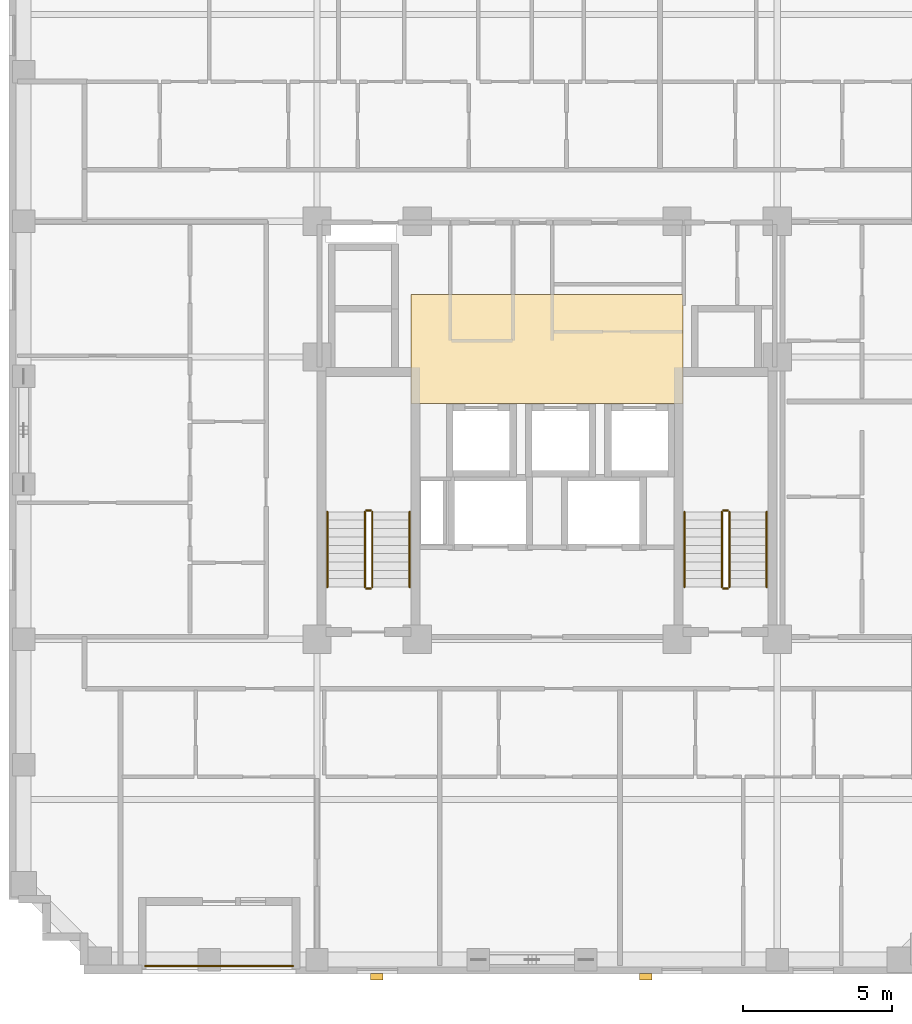
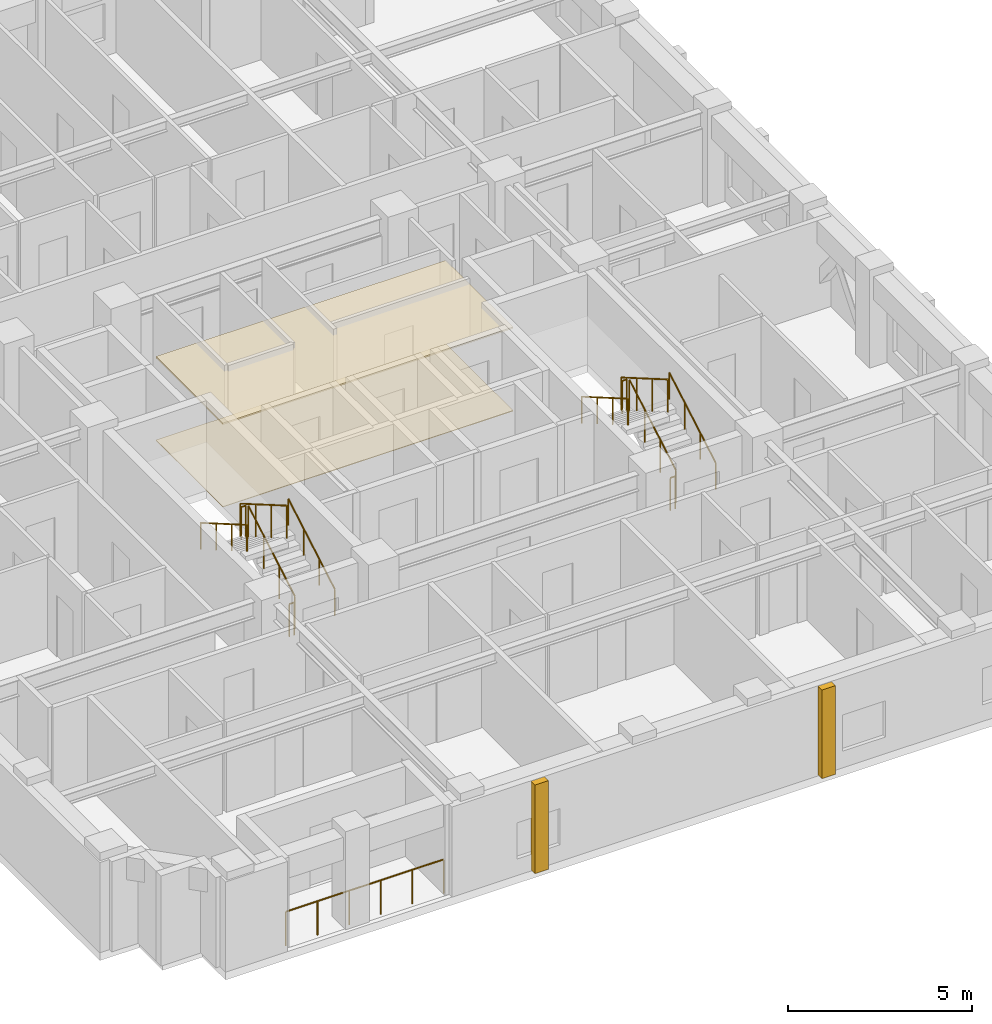
# One storey, part 10 of 11: 13 railings, 4 coverings.
"""IFC4 building model written with IfcOpenShell, lengths in metres."""

import ifcopenshell
import ifcopenshell.guid

model = None  # the IFC model being written
_history = None  # IfcOwnerHistory: only IFC2X3 demands one
_inside = {}  # id of a spatial element -> (the spatial element, [elements in it])
_under = {}  # id of a project, library or spatial element -> (it, [spatial elements below it])
_declared = {}  # id of a project -> (the project, [libraries it declares])
_typed = {}  # id of a type object -> (the type object, [elements of that type])
_made_of = {}  # id of a material, layer set ... -> (it, [elements and type objects made of it])


def new_model(schema):
    """Start an empty IFC model of exactly this schema.

    Asked for "IFC4X3", IfcOpenShell would pick the latest addendum, in which some entities
    have other attributes; the version numbers below select the first issue.
    IFC2X3 requires an IfcOwnerHistory on every rooted entity: one is made here for all.
    """
    global model, _history
    if schema == "IFC4X3":
        model = ifcopenshell.file(schema_version=(4, 3, 0, 0))
    else:
        model = ifcopenshell.file(schema=schema)
    _inside.clear()
    _under.clear()
    _declared.clear()
    _typed.clear()
    _made_of.clear()
    _history = None
    if model.schema == "IFC2X3":
        org = make("IfcOrganization", Name="unknown")
        user = make(
            "IfcPersonAndOrganization",
            ThePerson=make("IfcPerson", FamilyName="unknown"),
            TheOrganization=org,
        )
        app = make(
            "IfcApplication",
            ApplicationDeveloper=org,
            Version="unknown",
            ApplicationFullName="unknown",
            ApplicationIdentifier="unknown",
        )
        _history = make(
            "IfcOwnerHistory",
            OwningUser=user,
            OwningApplication=app,
            ChangeAction="ADDED",
            CreationDate=0,
        )
    return model


def make(cls, **values):
    """One entity of the class cls with the attributes given. An attribute that is None is left unset."""
    return model.create_entity(
        cls, **{name: value for name, value in values.items() if value is not None}
    )


def rooted(cls, **values):
    """An entity with a GlobalId (a new one), such as an element, a storey or a relation."""
    return make(cls, GlobalId=ifcopenshell.guid.new(), OwnerHistory=_history, **values)


def si_unit(unit_type, name, prefix=None):
    """IfcSIUnit, for example si_unit("LENGTHUNIT", "METRE", prefix="MILLI")."""
    return make("IfcSIUnit", UnitType=unit_type, Prefix=prefix, Name=name)


def derived_unit(unit_type, elements):
    """IfcDerivedUnit: a product of units, each with its exponent."""
    return make(
        "IfcDerivedUnit",
        Elements=[
            make("IfcDerivedUnitElement", Unit=unit, Exponent=power)
            for unit, power in elements
        ],
        UnitType=unit_type,
    )


def assignment(units):
    """IfcUnitAssignment: the units of a project."""
    return None if units is None else make("IfcUnitAssignment", Units=units)


def point(xyz):
    """IfcCartesianPoint."""
    return None if xyz is None else make("IfcCartesianPoint", Coordinates=xyz)


def direction(xyz):
    """IfcDirection."""
    return None if xyz is None else make("IfcDirection", DirectionRatios=xyz)


def frame(location, z_axis=None, x_axis=None):
    """IfcAxis2Placement3D, a coordinate frame: its origin and axes. An axis left out is left unset."""
    return make(
        "IfcAxis2Placement3D",
        Location=point(location),
        Axis=direction(z_axis),
        RefDirection=direction(x_axis),
    )


def frame_2d(location, x_axis=None):
    """IfcAxis2Placement2D, a coordinate frame in the plane: its origin and x axis."""
    return make(
        "IfcAxis2Placement2D", Location=point(location), RefDirection=direction(x_axis)
    )


def origin():
    """The frame at (0, 0, 0) with its axes left unset."""
    return frame((0.0, 0.0, 0.0))


def origin_2d():
    """The frame at (0, 0) in the plane with its x axis left unset."""
    return frame_2d((0.0, 0.0))


def place(relative_to, where):
    """IfcLocalPlacement: puts the frame where relative to a parent placement (None: the world)."""
    return make(
        "IfcLocalPlacement", PlacementRelTo=relative_to, RelativePlacement=where
    )


def context(
    kind, dimensions, precision=None, world=None, true_north=None, identifier=None
):
    """IfcGeometricRepresentationContext, for example the 3D "Model" context."""
    return make(
        "IfcGeometricRepresentationContext",
        ContextIdentifier=identifier,
        ContextType=kind,
        CoordinateSpaceDimension=dimensions,
        Precision=precision,
        WorldCoordinateSystem=world,
        TrueNorth=true_north,
    )


def subcontext(parent, identifier, kind, view, scale=None):
    """IfcGeometricRepresentationSubContext, for example "Body" below "Model"."""
    return make(
        "IfcGeometricRepresentationSubContext",
        ContextIdentifier=identifier,
        ContextType=kind,
        ParentContext=parent,
        TargetScale=scale,
        TargetView=view,
    )


def project(units=None, contexts=None):
    """IfcProject with its units and contexts."""
    return rooted(
        "IfcProject",
        Name="project",
        RepresentationContexts=contexts,
        UnitsInContext=assignment(units),
    )


def spatial(cls, under=None, at=None, **own):
    """A site, building, storey or space (cls), placed at a placement, below another one or the project."""
    s = rooted(cls, ObjectPlacement=at, **own)
    if under is not None:
        _under.setdefault(under.id(), (under, []))[1].append(s)
    return s


def polyline(points):
    """IfcPolyline through the points."""
    return make("IfcPolyline", Points=[point(p) for p in points])


def profile(cls, at=None, kind="AREA", **sizes):
    """A parametric profile (cls). Its sizes go by their IFC names, for example OverallWidth=200.0."""
    return make(cls, ProfileType=kind, Position=at, **sizes)


def rectangle(**sizes):
    """IfcRectangleProfileDef."""
    return profile("IfcRectangleProfileDef", **sizes)


def circle(**sizes):
    """IfcCircleProfileDef."""
    return profile("IfcCircleProfileDef", **sizes)


def outline(outer, holes=None, kind="AREA"):
    """IfcArbitraryClosedProfileDef: a profile drawn as a closed curve; with holes, ...WithVoids."""
    if holes is None:
        return make("IfcArbitraryClosedProfileDef", ProfileType=kind, OuterCurve=outer)
    return make(
        "IfcArbitraryProfileDefWithVoids",
        ProfileType=kind,
        OuterCurve=outer,
        InnerCurves=holes,
    )


def extrude(swept, where, along, depth):
    """IfcExtrudedAreaSolid: the profile swept, set in the frame where, extruded along a direction by depth."""
    return make(
        "IfcExtrudedAreaSolid",
        SweptArea=swept,
        Position=where,
        ExtrudedDirection=direction(along),
        Depth=depth,
    )


def shape(context_of_items, identifier, shape_type, items):
    """IfcShapeRepresentation: the items that make up one representation, for example the "Body"."""
    return make(
        "IfcShapeRepresentation",
        ContextOfItems=context_of_items,
        RepresentationIdentifier=identifier,
        RepresentationType=shape_type,
        Items=items,
    )


def material(Name=None, Category=None):
    """IfcMaterial."""
    return make("IfcMaterial", Name=Name, Category=Category)


def layer(
    of_material, thickness, ventilated=None, Name=None, Category=None, Priority=None
):
    """IfcMaterialLayer: one layer of a wall or slab, of a material (None: an air gap)."""
    return make(
        "IfcMaterialLayer",
        Material=of_material,
        LayerThickness=thickness,
        IsVentilated=ventilated,
        Name=Name,
        Category=Category,
        Priority=Priority,
    )


def layer_set(layers, Name=None):
    """IfcMaterialLayerSet."""
    return make("IfcMaterialLayerSet", MaterialLayers=layers, LayerSetName=Name)


def made_of(thing, what):
    """Note that an element or type object is made of a material, layer set ...; save() writes the relation."""
    if what is not None:
        _made_of.setdefault(what.id(), (what, []))[1].append(thing)
    return thing


def type_object(cls, material=None, **own):
    """A type object (cls), such as IfcWallType, which elements share."""
    return made_of(rooted(cls, **own), material)


def element(
    cls,
    number,
    at=None,
    inside=None,
    cuts=None,
    type_object=None,
    material=None,
    context=None,
    identifier="Body",
    shape_type=None,
    held_by="IfcProductDefinitionShape",
    body=None,
    shapes=None,
    **own,
):
    """One element of the class cls, such as IfcWall. Its Tag is "e" and its number.

    at: its placement. inside: the storey or other place that contains it. cuts: it is an
    opening in that element (IfcRelVoidsElement). A single representation is given by context,
    identifier, shape_type and body (its items); several are given by shapes. held_by: the class
    of the entity that holds the representations. save() writes the other relations.
    """
    e = rooted(cls, Tag="e%d" % number, ObjectPlacement=at, **own)
    if body is not None:
        shapes = [shape(context, identifier, shape_type, body)]
    if shapes is not None:
        e.Representation = make(held_by, Representations=shapes)
    if inside is not None:
        _inside.setdefault(inside.id(), (inside, []))[1].append(e)
    if cuts is not None:
        rooted(
            "IfcRelVoidsElement", RelatingBuildingElement=cuts, RelatedOpeningElement=e
        )
    if type_object is not None:
        _typed.setdefault(type_object.id(), (type_object, []))[1].append(e)
    return made_of(e, material)


def aggregate(whole, parts):
    """IfcRelAggregates: a whole, such as a stair, and the parts it consists of."""
    return rooted("IfcRelAggregates", RelatingObject=whole, RelatedObjects=parts)


def save(model, path):
    """Write the relations noted so far, then the file.

    IfcRelAggregates (storeys below a building ...), IfcRelContainedInSpatialStructure (elements
    in a storey), IfcRelDefinesByType, IfcRelAssociatesMaterial and IfcRelDeclares: one each for
    every whole, place, type object, material and project.
    """
    for whole, parts in _under.values():
        aggregate(whole, parts)
    for where, things in _inside.values():
        rooted(
            "IfcRelContainedInSpatialStructure",
            RelatedElements=things,
            RelatingStructure=where,
        )
    for kind, things in _typed.values():
        rooted("IfcRelDefinesByType", RelatedObjects=things, RelatingType=kind)
    for what, things in _made_of.values():
        rooted("IfcRelAssociatesMaterial", RelatedObjects=things, RelatingMaterial=what)
    for by, libraries in _declared.values():
        rooted("IfcRelDeclares", RelatingContext=by, RelatedDefinitions=libraries)
    model.write(path)


model = new_model("IFC4")

# Units and contexts
model_context = context("Model", 3, precision=1e-05, world=origin(), true_north=direction((0.0, 1.0)))
body_context = subcontext(model_context, "Body", "Model", "MODEL_VIEW")
ifc_project = project(units=[si_unit("LENGTHUNIT", "METRE"), si_unit("AREAUNIT", "SQUARE_METRE"), si_unit("VOLUMEUNIT", "CUBIC_METRE"), si_unit("PLANEANGLEUNIT", "RADIAN"), si_unit("MASSUNIT", "GRAM", prefix="KILO"), derived_unit("THERMALTRANSMITTANCEUNIT", [(si_unit("MASSUNIT", "GRAM", prefix="KILO"), 1), (si_unit("TIMEUNIT", "SECOND"), -3), (si_unit("THERMODYNAMICTEMPERATUREUNIT", "KELVIN"), -1)])], contexts=[model_context])

# Site, building, storey
site_placement = place(None, origin())
site = spatial("IfcSite", under=ifc_project, at=site_placement, CompositionType="ELEMENT")
building_placement = place(site_placement, origin())
building = spatial("IfcBuilding", under=site, at=building_placement, Name="Korrvale Station Residences", CompositionType="ELEMENT")
storey_placement = place(building_placement, frame((0.0, 0.0, 134.14990234375)))
storey = spatial("IfcBuildingStorey", under=building, at=storey_placement, Name="L38", CompositionType="ELEMENT", Elevation=134.14990234375)

# Coverings
ifc_material_1 = material(Name="Perforated acoustic mineral-fibre suspended ceiling", Category="gypsum")
ifc_layer_1 = layer(ifc_material_1, 0.050048828125, Name="Perforated acoustic mineral-fibre suspended ceiling")
ifc_layer_set_1 = layer_set([ifc_layer_1], Name="Perforated acoustic mineral-fibre suspended ceiling")
covering_type_1 = type_object("IfcCoveringType", Name="COV-CLG-AC60", PredefinedType="CEILING", material=ifc_layer_set_1)
covering_1_placement = place(storey_placement, frame((0.0, 0.0, 2.739990234375)))
element("IfcCovering", 1, at=covering_1_placement, inside=storey, type_object=covering_type_1, Name="L38 Elevator Lobby Acoustic Ceiling", PredefinedType="CEILING", context=body_context, shape_type="SweptSolid", body=[
    extrude(outline(polyline([(20.949951171875, 22.89990234375), (30.050048828125, 22.89990234375), (30.050048828125, 26.550048828125), (20.949951171875, 26.550048828125), (20.949951171875, 22.89990234375)])), origin(), (0.0, 0.0, 1.0), 0.050048828125),
])
ifc_material_2 = material(Name="Polished quartz-terrazzo lobby flooring", Category="masonry")
ifc_layer_2 = layer(ifc_material_2, 0.02001953125, Name="Polished quartz-terrazzo lobby flooring")
ifc_layer_set_2 = layer_set([ifc_layer_2], Name="Polished quartz-terrazzo lobby flooring")
covering_type_2 = type_object("IfcCoveringType", Name="COV-FLR-TER20", PredefinedType="FLOORING", material=ifc_layer_set_2)
covering_2_placement = place(storey_placement, origin())
element("IfcCovering", 2, at=covering_2_placement, inside=storey, type_object=covering_type_2, Name="L38 Elevator Lobby Terrazzo Flooring", PredefinedType="FLOORING", context=body_context, shape_type="SweptSolid", body=[
    extrude(outline(polyline([(20.949951171875, 22.89990234375), (30.050048828125, 22.89990234375), (30.050048828125, 26.550048828125), (20.949951171875, 26.550048828125), (20.949951171875, 22.89990234375)])), origin(), (0.0, 0.0, 1.0), 0.02001953125),
])
ifc_material_3 = material(Name="Architectural precast concrete C45/55", Category="concrete")
ifc_layer_3 = layer(ifc_material_3, 0.219970703125, Name="Architectural precast concrete C45/55")
ifc_layer_set_3 = layer_set([ifc_layer_3], Name="Architectural precast concrete C45/55")
covering_type_3 = type_object("IfcCoveringType", Name="COV-PIER-400", PredefinedType="CLADDING", material=ifc_layer_set_3)
for number, where, z_axis, x_axis, name in (
    (3, (28.800048828125, 3.7099609375, 0.025146484375), (0.0, 0.0, 1.0), (1.0, 0.0, 0.0), "L38 Architectural Precast Facade Pier 01"),
    (4, (19.800048828125, 3.7099609375, 0.025146484375), (0.0, 0.0, 1.0), (1.0, 0.0, 0.0), "L38 Architectural Precast Facade Pier 02"),
):
    element("IfcCovering", number, at=place(storey_placement, frame(where, z_axis=z_axis, x_axis=x_axis)), inside=storey, type_object=covering_type_3, Name=name, PredefinedType="CLADDING", context=body_context, shape_type="SweptSolid", body=[
        extrude(rectangle(XDim=0.419921875, YDim=0.219970703125, at=origin_2d()), origin(), (0.0, 0.0, 1.0), 2.93994140625),
    ])

# Railings
ifc_material_4 = material(Name="Powder-coated aluminium picket loggia guard", Category="aluminium")
railing_type_1 = type_object("IfcRailingType", Name="RLG-BAL-1150", PredefinedType="GUARDRAIL", material=ifc_material_4)
railing_1_placement = place(storey_placement, frame((12.050048828125, 4.070068359375, 0.0)))
element("IfcRailing", 5, at=railing_1_placement, inside=storey, type_object=railing_type_1, Name="L38 Recessed Loggia Guardrail BAL-L38-S1", PredefinedType="GUARDRAIL", context=body_context, shape_type="SweptSolid", body=[
    extrude(circle(Radius=0.02392578125, at=origin_2d()), frame((0.0, 0.0, 1.1259765625), z_axis=(1.0, 0.0, 0.0), x_axis=(0.0, 1.0, 0.0)), (0.0, 0.0, 1.0), 4.949951171875),
    extrude(circle(Radius=0.02099609375, at=origin_2d()), origin(), (0.0, 0.0, 1.0), 1.101806640625),
    extrude(circle(Radius=0.02099609375, at=origin_2d()), frame((0.989990234375, 0.0, 0.0)), (0.0, 0.0, 1.0), 1.101806640625),
    extrude(circle(Radius=0.02099609375, at=origin_2d()), frame((1.97998046875, 0.0, 0.0)), (0.0, 0.0, 1.0), 1.101806640625),
    extrude(circle(Radius=0.02099609375, at=origin_2d()), frame((2.969970703125, 0.0, 0.0)), (0.0, 0.0, 1.0), 1.101806640625),
    extrude(circle(Radius=0.02099609375, at=origin_2d()), frame((3.9599609375, 0.0, 0.0)), (0.0, 0.0, 1.0), 1.101806640625),
    extrude(circle(Radius=0.02099609375, at=origin_2d()), frame((4.949951171875, 0.0, 0.0)), (0.0, 0.0, 1.0), 1.101806640625),
])
ifc_material_5 = material(Name="Brushed stainless-steel continuous stair handrail", Category="steel")
railing_type_2 = type_object("IfcRailingType", Name="RLG-SHND-900", PredefinedType="HANDRAIL", material=ifc_material_5)
railing_2_placement = place(storey_placement, frame((20.89990234375, 16.75, 0.16259765625)))
element("IfcRailing", 6, at=railing_2_placement, inside=storey, type_object=railing_type_2, Name="L38 ST-1 stair handrail 1", PredefinedType="HANDRAIL", context=body_context, shape_type="SweptSolid", body=[
    extrude(circle(Radius=0.02392578125, at=origin_2d()), frame((0.0, 0.0, 0.8759765625), z_axis=(0.0, 0.864913338283, 0.50192122615), x_axis=(-1.0, 0.0, 0.0)), (0.0, 0.0, 1.0), 2.91357421875),
    extrude(circle(Radius=0.02099609375, at=origin_2d()), origin(), (0.0, 0.0, 1.0), 0.851806640625),
    extrude(circle(Radius=0.02099609375, at=origin_2d()), frame((0.0, 0.840087890625, 0.487548828125)), (0.0, 0.0, 1.0), 0.851806640625),
    extrude(circle(Radius=0.02099609375, at=origin_2d()), frame((0.0, 1.679931640625, 0.974853515625)), (0.0, 0.0, 1.0), 0.851806640625),
    extrude(circle(Radius=0.02099609375, at=origin_2d()), frame((0.0, 2.52001953125, 1.46240234375)), (0.0, 0.0, 1.0), 0.851806640625),
])
railing_3_placement = place(storey_placement, frame((18.14990234375, 19.27001953125, 1.78759765625)))
element("IfcRailing", 7, at=railing_3_placement, inside=storey, type_object=railing_type_2, Name="L38 ST-1 stair handrail 2", PredefinedType="HANDRAIL", context=body_context, shape_type="SweptSolid", body=[
    extrude(circle(Radius=0.02392578125, at=origin_2d()), frame((0.0, 0.0, 0.8759765625), z_axis=(0.0, -0.864913338283, 0.50192122615), x_axis=(1.0, 0.0, 0.0)), (0.0, 0.0, 1.0), 2.91357421875),
    extrude(circle(Radius=0.02099609375, at=origin_2d()), origin(), (0.0, 0.0, 1.0), 0.851806640625),
    extrude(circle(Radius=0.02099609375, at=origin_2d()), frame((0.0, -0.840087890625, 0.487548828125)), (0.0, 0.0, 1.0), 0.851806640625),
    extrude(circle(Radius=0.02099609375, at=origin_2d()), frame((0.0, -1.679931640625, 0.974853515625)), (0.0, 0.0, 1.0), 0.851806640625),
    extrude(circle(Radius=0.02099609375, at=origin_2d()), frame((0.0, -2.52001953125, 1.46240234375)), (0.0, 0.0, 1.0), 0.851806640625),
])
railing_4_placement = place(storey_placement, frame((32.85009765625, 16.75, 0.16259765625)))
element("IfcRailing", 8, at=railing_4_placement, inside=storey, type_object=railing_type_2, Name="L38 ST-2 stair handrail 1", PredefinedType="HANDRAIL", context=body_context, shape_type="SweptSolid", body=[
    extrude(circle(Radius=0.02392578125, at=origin_2d()), frame((0.0, 0.0, 0.8759765625), z_axis=(0.0, 0.864913338283, 0.50192122615), x_axis=(-1.0, 0.0, 0.0)), (0.0, 0.0, 1.0), 2.91357421875),
    extrude(circle(Radius=0.02099609375, at=origin_2d()), origin(), (0.0, 0.0, 1.0), 0.851806640625),
    extrude(circle(Radius=0.02099609375, at=origin_2d()), frame((0.0, 0.840087890625, 0.487548828125)), (0.0, 0.0, 1.0), 0.851806640625),
    extrude(circle(Radius=0.02099609375, at=origin_2d()), frame((0.0, 1.679931640625, 0.974853515625)), (0.0, 0.0, 1.0), 0.851806640625),
    extrude(circle(Radius=0.02099609375, at=origin_2d()), frame((0.0, 2.52001953125, 1.46240234375)), (0.0, 0.0, 1.0), 0.851806640625),
])
railing_5_placement = place(storey_placement, frame((30.10009765625, 19.27001953125, 1.78759765625)))
element("IfcRailing", 9, at=railing_5_placement, inside=storey, type_object=railing_type_2, Name="L38 ST-2 stair handrail 2", PredefinedType="HANDRAIL", context=body_context, shape_type="SweptSolid", body=[
    extrude(circle(Radius=0.02392578125, at=origin_2d()), frame((0.0, 0.0, 0.8759765625), z_axis=(0.0, -0.864913338283, 0.50192122615), x_axis=(1.0, 0.0, 0.0)), (0.0, 0.0, 1.0), 2.91357421875),
    extrude(circle(Radius=0.02099609375, at=origin_2d()), origin(), (0.0, 0.0, 1.0), 0.851806640625),
    extrude(circle(Radius=0.02099609375, at=origin_2d()), frame((0.0, -0.840087890625, 0.487548828125)), (0.0, 0.0, 1.0), 0.851806640625),
    extrude(circle(Radius=0.02099609375, at=origin_2d()), frame((0.0, -1.679931640625, 0.974853515625)), (0.0, 0.0, 1.0), 0.851806640625),
    extrude(circle(Radius=0.02099609375, at=origin_2d()), frame((0.0, -2.52001953125, 1.46240234375)), (0.0, 0.0, 1.0), 0.851806640625),
])
ifc_material_6 = material(Name="Galvanised painted tubular steel stair guard", Category="steel")
railing_type_3 = type_object("IfcRailingType", Name="RLG-STR-1100", PredefinedType="GUARDRAIL", material=ifc_material_6)
railing_6_placement = place(storey_placement, frame((19.64990234375, 16.75, 0.16259765625)))
element("IfcRailing", 10, at=railing_6_placement, inside=storey, type_object=railing_type_3, Name="L38 ST-1 stair guard 1", PredefinedType="GUARDRAIL", context=body_context, shape_type="SweptSolid", body=[
    extrude(circle(Radius=0.02392578125, at=origin_2d()), frame((0.0, 0.0, 1.076171875), z_axis=(0.0, 0.864913338283, 0.50192122615), x_axis=(-1.0, 0.0, 0.0)), (0.0, 0.0, 1.0), 2.91357421875),
    extrude(circle(Radius=0.02099609375, at=origin_2d()), origin(), (0.0, 0.0, 1.0), 1.052001953125),
    extrude(circle(Radius=0.02099609375, at=origin_2d()), frame((0.0, 0.840087890625, 0.487548828125)), (0.0, 0.0, 1.0), 1.052001953125),
    extrude(circle(Radius=0.02099609375, at=origin_2d()), frame((0.0, 1.679931640625, 0.974853515625)), (0.0, 0.0, 1.0), 1.052001953125),
    extrude(circle(Radius=0.02099609375, at=origin_2d()), frame((0.0, 2.52001953125, 1.46240234375)), (0.0, 0.0, 1.0), 1.052001953125),
])
railing_7_placement = place(storey_placement, frame((19.60009765625, 19.320068359375, 1.625)))
element("IfcRailing", 11, at=railing_7_placement, inside=storey, type_object=railing_type_3, Name="L38 ST-1 stair guard 2", PredefinedType="GUARDRAIL", context=body_context, shape_type="SweptSolid", body=[
    extrude(circle(Radius=0.02392578125, at=origin_2d()), frame((0.0, 0.0, 1.076171875), z_axis=(-1.0, 0.0, 0.0), x_axis=(0.0, -1.0, 0.0)), (0.0, 0.0, 1.0), 0.150146484375),
    extrude(circle(Radius=0.02099609375, at=origin_2d()), origin(), (0.0, 0.0, 1.0), 1.052001953125),
    extrude(circle(Radius=0.02099609375, at=origin_2d()), frame((-0.150146484375, 0.0, 0.0)), (0.0, 0.0, 1.0), 1.052001953125),
])
railing_8_placement = place(storey_placement, frame((19.39990234375, 19.27001953125, 1.78759765625)))
element("IfcRailing", 12, at=railing_8_placement, inside=storey, type_object=railing_type_3, Name="L38 ST-1 stair guard 3", PredefinedType="GUARDRAIL", context=body_context, shape_type="SweptSolid", body=[
    extrude(circle(Radius=0.02392578125, at=origin_2d()), frame((0.0, 0.0, 1.076171875), z_axis=(0.0, -0.864913338283, 0.50192122615), x_axis=(1.0, 0.0, 0.0)), (0.0, 0.0, 1.0), 2.91357421875),
    extrude(circle(Radius=0.02099609375, at=origin_2d()), origin(), (0.0, 0.0, 1.0), 1.052001953125),
    extrude(circle(Radius=0.02099609375, at=origin_2d()), frame((0.0, -0.840087890625, 0.487548828125)), (0.0, 0.0, 1.0), 1.052001953125),
    extrude(circle(Radius=0.02099609375, at=origin_2d()), frame((0.0, -1.679931640625, 0.974853515625)), (0.0, 0.0, 1.0), 1.052001953125),
    extrude(circle(Radius=0.02099609375, at=origin_2d()), frame((0.0, -2.52001953125, 1.46240234375)), (0.0, 0.0, 1.0), 1.052001953125),
])
railing_9_placement = place(storey_placement, frame((19.60009765625, 16.699951171875, 0.0)))
element("IfcRailing", 13, at=railing_9_placement, inside=storey, type_object=railing_type_3, Name="L38 ST-1 stair guard 4", PredefinedType="GUARDRAIL", context=body_context, shape_type="SweptSolid", body=[
    extrude(circle(Radius=0.02392578125, at=origin_2d()), frame((0.0, 0.0, 1.076171875), z_axis=(-1.0, 0.0, 0.0), x_axis=(0.0, -1.0, 0.0)), (0.0, 0.0, 1.0), 0.150146484375),
    extrude(circle(Radius=0.02099609375, at=origin_2d()), origin(), (0.0, 0.0, 1.0), 1.052001953125),
    extrude(circle(Radius=0.02099609375, at=origin_2d()), frame((-0.150146484375, 0.0, 0.0)), (0.0, 0.0, 1.0), 1.052001953125),
])
railing_10_placement = place(storey_placement, frame((31.60009765625, 16.75, 0.16259765625)))
element("IfcRailing", 14, at=railing_10_placement, inside=storey, type_object=railing_type_3, Name="L38 ST-2 stair guard 1", PredefinedType="GUARDRAIL", context=body_context, shape_type="SweptSolid", body=[
    extrude(circle(Radius=0.02392578125, at=origin_2d()), frame((0.0, 0.0, 1.076171875), z_axis=(0.0, 0.864913338283, 0.50192122615), x_axis=(-1.0, 0.0, 0.0)), (0.0, 0.0, 1.0), 2.91357421875),
    extrude(circle(Radius=0.02099609375, at=origin_2d()), origin(), (0.0, 0.0, 1.0), 1.052001953125),
    extrude(circle(Radius=0.02099609375, at=origin_2d()), frame((0.0, 0.840087890625, 0.487548828125)), (0.0, 0.0, 1.0), 1.052001953125),
    extrude(circle(Radius=0.02099609375, at=origin_2d()), frame((0.0, 1.679931640625, 0.974853515625)), (0.0, 0.0, 1.0), 1.052001953125),
    extrude(circle(Radius=0.02099609375, at=origin_2d()), frame((0.0, 2.52001953125, 1.46240234375)), (0.0, 0.0, 1.0), 1.052001953125),
])
railing_11_placement = place(storey_placement, frame((31.550048828125, 19.320068359375, 1.625)))
element("IfcRailing", 15, at=railing_11_placement, inside=storey, type_object=railing_type_3, Name="L38 ST-2 stair guard 2", PredefinedType="GUARDRAIL", context=body_context, shape_type="SweptSolid", body=[
    extrude(circle(Radius=0.02392578125, at=origin_2d()), frame((0.0, 0.0, 1.076171875), z_axis=(-1.0, 0.0, 0.0), x_axis=(0.0, -1.0, 0.0)), (0.0, 0.0, 1.0), 0.150146484375),
    extrude(circle(Radius=0.02099609375, at=origin_2d()), origin(), (0.0, 0.0, 1.0), 1.052001953125),
    extrude(circle(Radius=0.02099609375, at=origin_2d()), frame((-0.150146484375, 0.0, 0.0)), (0.0, 0.0, 1.0), 1.052001953125),
])
railing_12_placement = place(storey_placement, frame((31.35009765625, 19.27001953125, 1.78759765625)))
element("IfcRailing", 16, at=railing_12_placement, inside=storey, type_object=railing_type_3, Name="L38 ST-2 stair guard 3", PredefinedType="GUARDRAIL", context=body_context, shape_type="SweptSolid", body=[
    extrude(circle(Radius=0.02392578125, at=origin_2d()), frame((0.0, 0.0, 1.076171875), z_axis=(0.0, -0.864913338283, 0.50192122615), x_axis=(1.0, 0.0, 0.0)), (0.0, 0.0, 1.0), 2.91357421875),
    extrude(circle(Radius=0.02099609375, at=origin_2d()), origin(), (0.0, 0.0, 1.0), 1.052001953125),
    extrude(circle(Radius=0.02099609375, at=origin_2d()), frame((0.0, -0.840087890625, 0.487548828125)), (0.0, 0.0, 1.0), 1.052001953125),
    extrude(circle(Radius=0.02099609375, at=origin_2d()), frame((0.0, -1.679931640625, 0.974853515625)), (0.0, 0.0, 1.0), 1.052001953125),
    extrude(circle(Radius=0.02099609375, at=origin_2d()), frame((0.0, -2.52001953125, 1.46240234375)), (0.0, 0.0, 1.0), 1.052001953125),
])
railing_13_placement = place(storey_placement, frame((31.550048828125, 16.699951171875, 0.0)))
element("IfcRailing", 17, at=railing_13_placement, inside=storey, type_object=railing_type_3, Name="L38 ST-2 stair guard 4", PredefinedType="GUARDRAIL", context=body_context, shape_type="SweptSolid", body=[
    extrude(circle(Radius=0.02392578125, at=origin_2d()), frame((0.0, 0.0, 1.076171875), z_axis=(-1.0, 0.0, 0.0), x_axis=(0.0, -1.0, 0.0)), (0.0, 0.0, 1.0), 0.150146484375),
    extrude(circle(Radius=0.02099609375, at=origin_2d()), origin(), (0.0, 0.0, 1.0), 1.052001953125),
    extrude(circle(Radius=0.02099609375, at=origin_2d()), frame((-0.150146484375, 0.0, 0.0)), (0.0, 0.0, 1.0), 1.052001953125),
])

save(model, "model.ifc")
